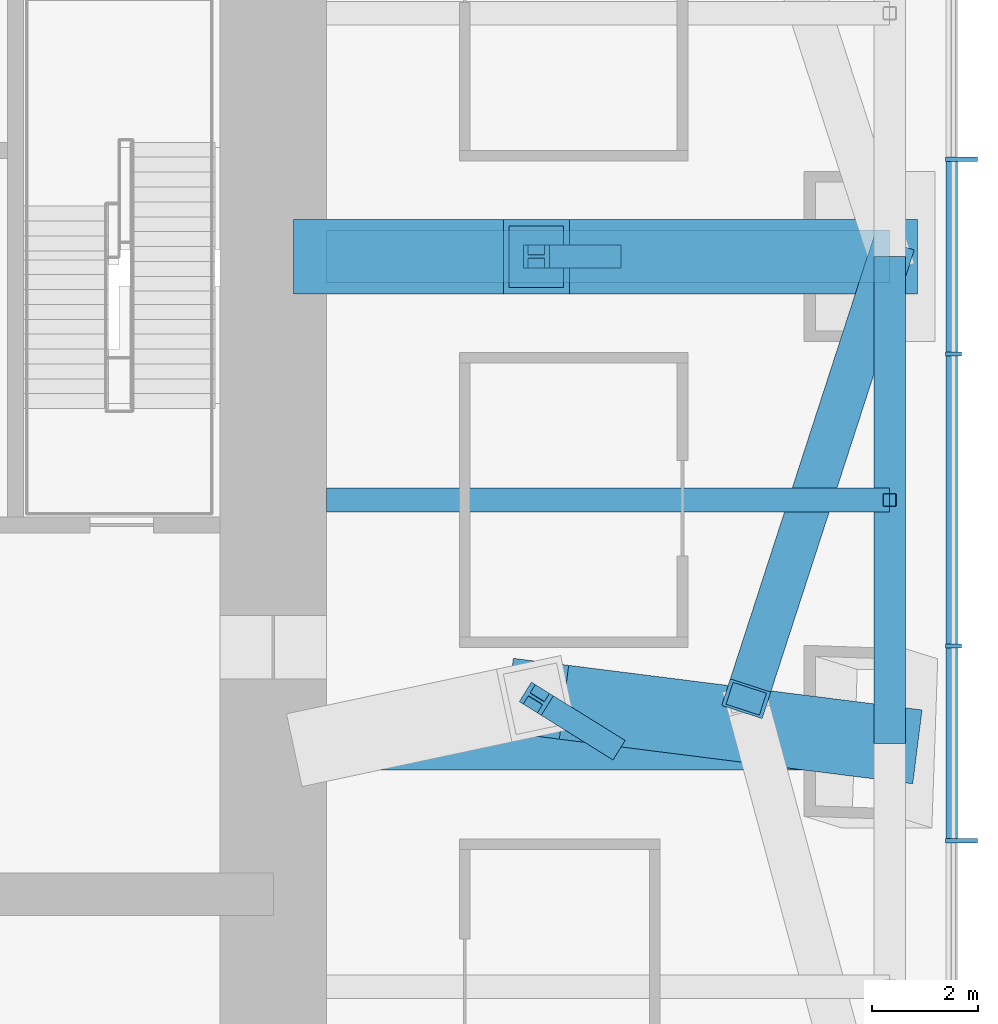
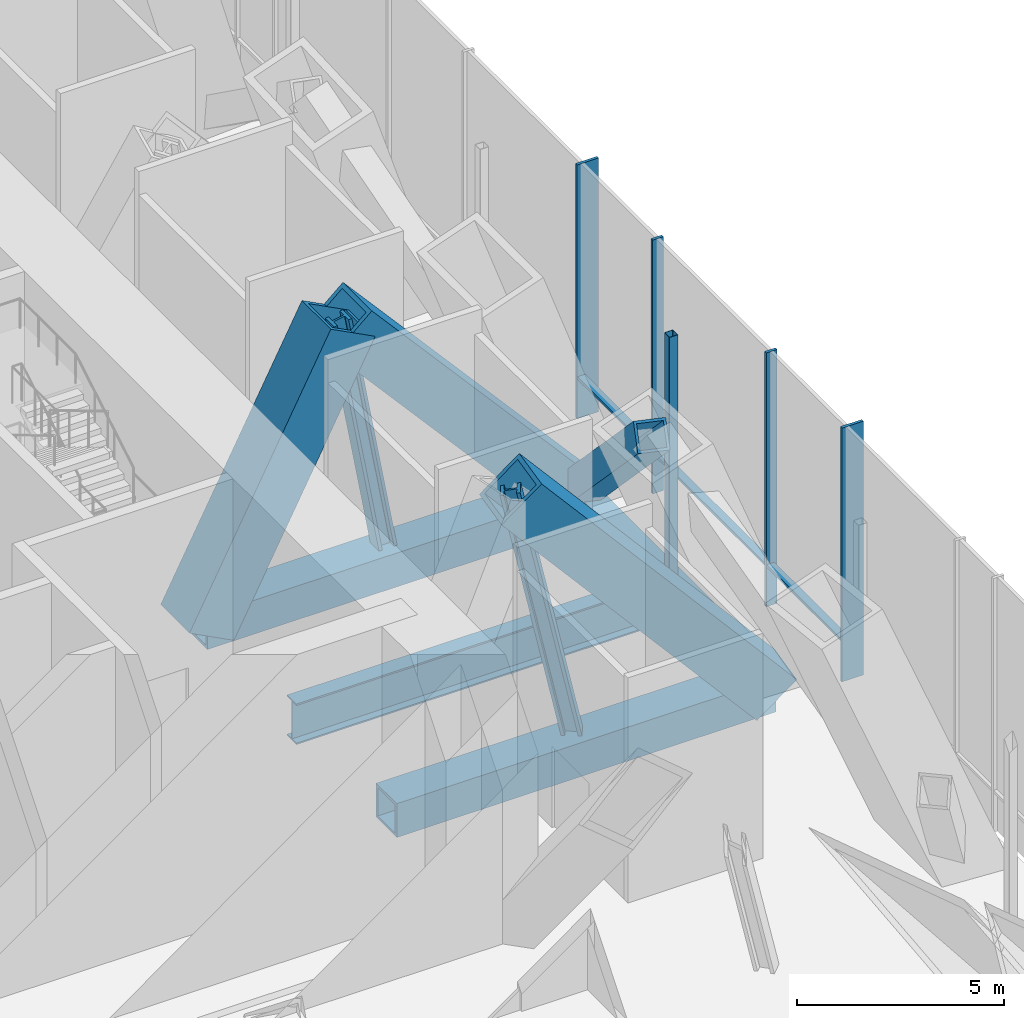
# One storey, part 5 of 16: 17 members, 1 beam, 1 element without a shape of its own.
"""IFC4 building model written with IfcOpenShell, lengths in metres."""

from ifc_helpers import new_model, si_unit, direction, frame, origin, origin_2d, place, context, subcontext, project, spatial, rectangle, hollow_rectangle, i_section, extrude, material, material_profile, profile_set, type_object, element, aggregate, save


model = new_model("IFC4")

# Units and contexts
model_context = context("Model", 3, precision=1e-05, world=origin(), true_north=direction((0.0, 1.0)))
body_context = subcontext(model_context, "Body", "Model", "MODEL_VIEW")
ifc_project = project(units=[si_unit("LENGTHUNIT", "METRE"), si_unit("AREAUNIT", "SQUARE_METRE"), si_unit("VOLUMEUNIT", "CUBIC_METRE"), si_unit("PLANEANGLEUNIT", "RADIAN"), si_unit("MASSUNIT", "GRAM", prefix="KILO")], contexts=[model_context])

# Site, building, storey
site_placement = place(None, origin())
site = spatial("IfcSite", under=ifc_project, at=site_placement, CompositionType="ELEMENT")
building_placement = place(site_placement, origin())
building = spatial("IfcBuilding", under=site, at=building_placement, Name="Khuree Lantern Residences", CompositionType="ELEMENT")
storey_placement = place(building_placement, frame((0.0, 0.0, 192.0)))
storey = spatial("IfcBuildingStorey", under=building, at=storey_placement, Name="L48", CompositionType="ELEMENT", Elevation=192.0)

# Beam
ifc_material_1 = material(Name="Steel S355", Category="steel")
ifc_material_profile_1 = material_profile(ifc_material_1, i_section(OverallWidth=0.449951171875, OverallDepth=1.199951171875, WebThickness=0.02490234375, FlangeThickness=0.044921875, at=origin_2d()), Name="WELDED I 1200X450X25X45")
ifc_profile_set_1 = profile_set([ifc_material_profile_1], Name="Steel S355")
beam_type = type_object("IfcBeamType", Name="B-48 SECONDARY BEAM WELDED I 1200X450X25X45", PredefinedType="BEAM", material=ifc_profile_set_1)
beam_placement = place(storey_placement, frame((27.10009765625, -4.580078125, -0.949951171875), z_axis=(-1.0, 0.0, 0.0), x_axis=(0.0, -1.0, 0.0)))
element("IfcBeam", 1, at=beam_placement, inside=storey, type_object=beam_type, Name="Secondary beam E4", PredefinedType="BEAM", context=body_context, shape_type="SweptSolid", body=[
    extrude(i_section(OverallWidth=0.449951171875, OverallDepth=1.199951171875, WebThickness=0.02490234375, FlangeThickness=0.044921875, at=origin_2d()), origin(), (0.0, 0.0, 1.0), 10.60009765625),
])

# Members
ifc_material_profile_2 = material_profile(ifc_material_1, hollow_rectangle(XDim=0.800048828125, YDim=0.800048828125, WallThickness=0.070068359375, at=origin_2d()), Name="WELDED BOX 800X800X70")
ifc_profile_set_2 = profile_set([ifc_material_profile_2], Name="Steel S355")
member_type_1 = type_object("IfcMemberType", Name="BD-48 BELT TRUSS DIAGONAL WELDED BOX 800X800X70", PredefinedType="BRACE", material=ifc_profile_set_2)
member_1_placement = place(storey_placement, frame((27.10009765625, 0.0, -0.64990234375), z_axis=(-0.233024646962, -0.718015094379, 0.655861142432), x_axis=(0.951162589374, -0.308690344156, 0.0)))
element("IfcMember", 2, at=member_1_placement, inside=storey, type_object=member_type_1, Name="Belt truss diagonal E4", PredefinedType="BRACE", context=body_context, shape_type="SweptSolid", body=[
    extrude(hollow_rectangle(XDim=0.800048828125, YDim=0.800048828125, WallThickness=0.070068359375, at=origin_2d()), origin(), (0.0, 0.0, 1.0), 11.587646484375),
])
ifc_material_profile_3 = material_profile(ifc_material_1, hollow_rectangle(XDim=0.60009765625, YDim=0.60009765625, WallThickness=0.050048828125, at=origin_2d()), Name="WELDED BOX 600X600X50")
ifc_profile_set_3 = profile_set([ifc_material_profile_3], Name="Steel S355")
member_type_2 = type_object("IfcMemberType", Name="BT-48 BELT TRUSS CHORD WELDED BOX 600X600X50", PredefinedType="CHORD", material=ifc_profile_set_3)
member_2_placement = place(storey_placement, frame((27.10009765625, 0.0, -0.64990234375), z_axis=(0.0, -1.0, 0.0), x_axis=(1.0, 0.0, 0.0)))
element("IfcMember", 3, at=member_2_placement, inside=storey, type_object=member_type_2, Name="Belt truss chord E4", PredefinedType="CHORD", context=body_context, shape_type="SweptSolid", body=[
    extrude(hollow_rectangle(XDim=0.60009765625, YDim=0.60009765625, WallThickness=0.050048828125, at=origin_2d()), origin(), (0.0, 0.0, 1.0), 9.159912109375),
])

# Curtain wall, members
ifc_material_2 = material(Name="Bronze anodised aluminium", Category="aluminium")
curtain_wall_type = type_object("IfcCurtainWallType", Name="CW-G PLANT STOREY LOUVRED CURTAIN WALL", PredefinedType="USERDEFINED", material=ifc_material_2)
curtain_wall_placement = place(storey_placement, origin())
curtain_wall = element("IfcCurtainWall", 4, at=curtain_wall_placement, inside=storey, type_object=curtain_wall_type, Name="L48 EAST FACE CURTAIN WALL", ObjectType="Louvred curtain wall", PredefinedType="USERDEFINED")
ifc_material_profile_4 = material_profile(ifc_material_2, rectangle(XDim=0.080078125, YDim=0.60009765625, at=origin_2d()), Name="F2 80X600")
ifc_profile_set_4 = profile_set([ifc_material_profile_4], Name="Bronze anodised aluminium")
member_type_3 = type_object("IfcMemberType", Name="F2 BRONZE FIN MULLION PLANT 80X600", PredefinedType="MULLION", material=ifc_profile_set_4)
member_3_placement = place(storey_placement, frame((28.449951171875, -10.991943359375, 0.0), z_axis=(0.0, 0.0, 1.0), x_axis=(0.0, 1.0, 0.0)))
member_3 = element("IfcMember", 5, at=member_3_placement, type_object=member_type_3, Name="L48 EAST FACE FIN MULLION 7", PredefinedType="MULLION", context=body_context, shape_type="SweptSolid", body=[
    extrude(rectangle(XDim=0.080078125, YDim=0.60009765625, at=origin_2d()), origin(), (0.0, 0.0, 1.0), 7.5),
])
member_4_placement = place(storey_placement, frame((28.449951171875, 1.83203125, 0.0), z_axis=(0.0, 0.0, 1.0), x_axis=(0.0, 1.0, 0.0)))
member_4 = element("IfcMember", 6, at=member_4_placement, type_object=member_type_3, Name="L48 EAST FACE FIN MULLION 10", PredefinedType="MULLION", context=body_context, shape_type="SweptSolid", body=[
    extrude(rectangle(XDim=0.080078125, YDim=0.60009765625, at=origin_2d()), origin(), (0.0, 0.0, 1.0), 7.5),
])
ifc_material_profile_5 = material_profile(ifc_material_2, rectangle(XDim=0.080078125, YDim=0.300048828125, at=origin_2d()), Name="M2 80X300")
ifc_profile_set_5 = profile_set([ifc_material_profile_5], Name="Bronze anodised aluminium")
member_type_4 = type_object("IfcMemberType", Name="MULLION M2 PLANT 80X300", PredefinedType="MULLION", material=ifc_profile_set_5)
member_5_placement = place(storey_placement, frame((28.300048828125, -7.327880859375, 0.0), z_axis=(0.0, 0.0, 1.0), x_axis=(0.0, 1.0, 0.0)))
member_5 = element("IfcMember", 7, at=member_5_placement, type_object=member_type_4, Name="L48 EAST FACE MULLION 8", PredefinedType="MULLION", context=body_context, shape_type="SweptSolid", body=[
    extrude(rectangle(XDim=0.080078125, YDim=0.300048828125, at=origin_2d()), origin(), (0.0, 0.0, 1.0), 7.5),
])
member_6_placement = place(storey_placement, frame((28.300048828125, -1.83203125, 0.0), z_axis=(0.0, 0.0, 1.0), x_axis=(0.0, 1.0, 0.0)))
member_6 = element("IfcMember", 8, at=member_6_placement, type_object=member_type_4, Name="L48 EAST FACE MULLION 9", PredefinedType="MULLION", context=body_context, shape_type="SweptSolid", body=[
    extrude(rectangle(XDim=0.080078125, YDim=0.300048828125, at=origin_2d()), origin(), (0.0, 0.0, 1.0), 7.5),
])

# Members
ifc_material_profile_6 = material_profile(ifc_material_1, hollow_rectangle(XDim=1.39990234375, YDim=1.39990234375, WallThickness=0.1201171875, at=origin_2d()), Name="WELDED BOX 1400X1400X120")
ifc_profile_set_6 = profile_set([ifc_material_profile_6], Name="Steel S355")
member_type_5 = type_object("IfcMemberType", Name="OD-48 OUTRIGGER TRUSS DIAGONAL WELDED BOX 1400X1400X120", PredefinedType="BRACE", material=ifc_profile_set_6)
member_7_placement = place(storey_placement, frame((16.5, 0.0, -0.85009765625), z_axis=(0.46115976999, 0.0, 0.887317117238), x_axis=(0.0, 1.0, 0.0)))
element("IfcMember", 9, at=member_7_placement, inside=storey, type_object=member_type_5, Name="Outrigger diagonal E3 core side", PredefinedType="BRACE", context=body_context, shape_type="SweptSolid", body=[
    extrude(hollow_rectangle(XDim=1.39990234375, YDim=1.39990234375, WallThickness=0.1201171875, at=origin_2d()), origin(), (0.0, 0.0, 1.0), 8.565185546875),
])
member_8_placement = place(storey_placement, frame((20.449951171875, 0.0, 6.75), z_axis=(0.658508030898, 0.0, -0.752573699543), x_axis=(0.0, 1.0, 0.0)))
element("IfcMember", 10, at=member_8_placement, inside=storey, type_object=member_type_5, Name="Outrigger diagonal E3 column side", PredefinedType="BRACE", context=body_context, shape_type="SweptSolid", body=[
    extrude(hollow_rectangle(XDim=1.39990234375, YDim=1.39990234375, WallThickness=0.1201171875, at=origin_2d()), origin(), (0.0, 0.0, 1.0), 10.098876953125),
])
member_9_placement = place(storey_placement, frame((20.449951171875, -8.320068359375, 6.75), z_axis=(0.656242644896, -0.082876562959, -0.749984710732), x_axis=(0.125294301866, 0.992119618756, 0.0)))
element("IfcMember", 11, at=member_9_placement, inside=storey, type_object=member_type_5, Name="Outrigger diagonal E4 column side", PredefinedType="BRACE", context=body_context, shape_type="SweptSolid", body=[
    extrude(hollow_rectangle(XDim=1.39990234375, YDim=1.39990234375, WallThickness=0.1201171875, at=origin_2d()), origin(), (0.0, 0.0, 1.0), 10.1337890625),
])
ifc_material_profile_7 = material_profile(ifc_material_1, i_section(OverallWidth=0.431884765625, OverallDepth=0.498046875, WebThickness=0.0556640625, FlangeThickness=0.0888671875, FilletRadius=0.014892578125, at=origin_2d()), Name="HD 400X744")
ifc_profile_set_7 = profile_set([ifc_material_profile_7], Name="Steel S355")
member_type_6 = type_object("IfcMemberType", Name="OP-48 OUTRIGGER TRUSS POST HD 400X744", PredefinedType="POST", material=ifc_profile_set_7)
member_10_placement = place(storey_placement, frame((21.800048828125, 0.0, -0.85009765625), z_axis=(-0.174903883222, 0.0, 0.984585512606), x_axis=(0.0, -1.0, 0.0)))
element("IfcMember", 12, at=member_10_placement, inside=storey, type_object=member_type_6, Name="Outrigger post E3", PredefinedType="POST", context=body_context, shape_type="SweptSolid", body=[
    extrude(i_section(OverallWidth=0.431884765625, OverallDepth=0.498046875, WebThickness=0.0556640625, FlangeThickness=0.0888671875, FilletRadius=0.014892578125, at=origin_2d()), origin(), (0.0, 0.0, 1.0), 7.718994140625),
])
member_11_placement = place(storey_placement, frame((21.800048828125, -9.159912109375, -0.85009765625), z_axis=(-0.173877758914, 0.108162656539, 0.978809156417), x_axis=(-0.528203490384, -0.849117820297, 0.0)))
element("IfcMember", 13, at=member_11_placement, inside=storey, type_object=member_type_6, Name="Outrigger post E4", PredefinedType="POST", context=body_context, shape_type="SweptSolid", body=[
    extrude(i_section(OverallWidth=0.431884765625, OverallDepth=0.498046875, WebThickness=0.0556640625, FlangeThickness=0.0888671875, FilletRadius=0.014892578125, at=origin_2d()), origin(), (0.0, 0.0, 1.0), 7.7646484375),
])
ifc_material_profile_8 = material_profile(ifc_material_1, hollow_rectangle(XDim=1.0, YDim=1.0, WallThickness=0.080078125, at=origin_2d()), Name="WELDED BOX 1000X1000X80")
ifc_profile_set_8 = profile_set([ifc_material_profile_8], Name="Steel S355")
member_type_7 = type_object("IfcMemberType", Name="OT-48 OUTRIGGER TRUSS CHORD WELDED BOX 1000X1000X80", PredefinedType="CHORD", material=ifc_profile_set_8)
for number, where, z_axis, x_axis, name in (
    (14, (27.10009765625, 0.0, -0.85009765625), (-1.0, 0.0, 0.0), (0.0, -1.0, 0.0), "Outrigger chord E3"),
    (15, (27.10009765625, -9.159912109375, -0.85009765625), (-1.0, 0.0, 0.0), (0.0, -1.0, 0.0), "Outrigger chord E4"),
):
    element("IfcMember", number, at=place(storey_placement, frame(where, z_axis=z_axis, x_axis=x_axis)), inside=storey, type_object=member_type_7, Name=name, PredefinedType="CHORD", context=body_context, shape_type="SweptSolid", body=[
        extrude(hollow_rectangle(XDim=1.0, YDim=1.0, WallThickness=0.080078125, at=origin_2d()), origin(), (0.0, 0.0, 1.0), 10.60009765625),
    ])
ifc_material_profile_9 = material_profile(ifc_material_1, hollow_rectangle(XDim=0.25, YDim=0.25, WallThickness=0.012451171875, InnerFilletRadius=0.012451171875, OuterFilletRadius=0.018798828125, at=origin_2d()), Name="SHS 250X250X12.5")
ifc_profile_set_9 = profile_set([ifc_material_profile_9], Name="Steel S355")
member_type_8 = type_object("IfcMemberType", Name="TP1 TERRACE POST SHS 250X250X12.5", PredefinedType="POST", material=ifc_profile_set_9)
member_12_placement = place(storey_placement, frame((27.10009765625, -4.580078125, -0.35009765625), z_axis=(0.0, 0.0, 1.0), x_axis=(1.0, 0.0, 0.0)))
element("IfcMember", 16, at=member_12_placement, inside=storey, type_object=member_type_8, Name="Terrace post E4", PredefinedType="POST", context=body_context, shape_type="SweptSolid", body=[
    extrude(hollow_rectangle(XDim=0.25, YDim=0.25, WallThickness=0.012451171875, InnerFilletRadius=0.012451171875, OuterFilletRadius=0.018798828125, at=origin_2d()), origin(), (0.0, 0.0, 1.0), 7.10009765625),
])

# Member
ifc_material_profile_10 = material_profile(ifc_material_2, rectangle(XDim=0.219970703125, YDim=0.080078125, at=origin_2d()), Name="T2 220X80")
ifc_profile_set_10 = profile_set([ifc_material_profile_10], Name="Bronze anodised aluminium")
member_type_9 = type_object("IfcMemberType", Name="TRANSOM T2 PLANT 220X80", PredefinedType="USERDEFINED", material=ifc_profile_set_10)
member_13_placement = place(storey_placement, frame((28.27001953125, -10.951904296875, 1.199951171875), z_axis=(0.0, 1.0, 0.0), x_axis=(-1.0, 0.0, 0.0)))
member_13 = element("IfcMember", 17, at=member_13_placement, type_object=member_type_9, Name="L48 EAST FACE TRANSOM 7.1", ObjectType="Transom", PredefinedType="USERDEFINED", context=body_context, shape_type="SweptSolid", body=[
    extrude(rectangle(XDim=0.219970703125, YDim=0.080078125, at=origin_2d()), origin(), (0.0, 0.0, 1.0), 3.583984375),
])

member_14_placement = place(storey_placement, frame((28.27001953125, -7.2880859375, 1.199951171875), z_axis=(0.0, 1.0, 0.0), x_axis=(-1.0, 0.0, 0.0)))
member_14 = element("IfcMember", 18, at=member_14_placement, type_object=member_type_9, Name="L48 EAST FACE TRANSOM 8.1", ObjectType="Transom", PredefinedType="USERDEFINED", context=body_context, shape_type="SweptSolid", body=[
    extrude(rectangle(XDim=0.219970703125, YDim=0.080078125, at=origin_2d()), origin(), (0.0, 0.0, 1.0), 5.416015625),
])

member_15_placement = place(storey_placement, frame((28.27001953125, -1.7919921875, 1.199951171875), z_axis=(0.0, 1.0, 0.0), x_axis=(-1.0, 0.0, 0.0)))
member_15 = element("IfcMember", 19, at=member_15_placement, type_object=member_type_9, Name="L48 EAST FACE TRANSOM 9.1", ObjectType="Transom", PredefinedType="USERDEFINED", context=body_context, shape_type="SweptSolid", body=[
    extrude(rectangle(XDim=0.219970703125, YDim=0.080078125, at=origin_2d()), origin(), (0.0, 0.0, 1.0), 3.583984375),
])

aggregate(curtain_wall, [member_3, member_5, member_6, member_4, member_13, member_14, member_15])

save(model, "model.ifc")
